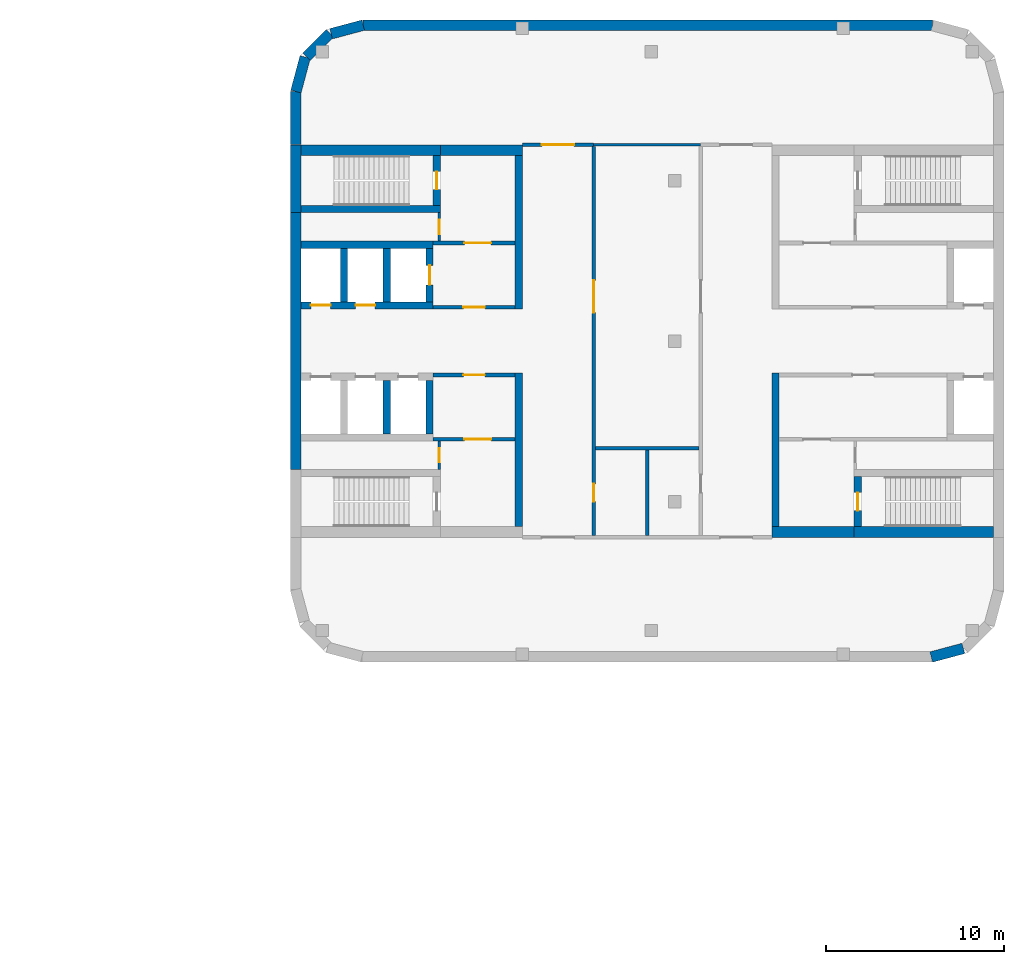
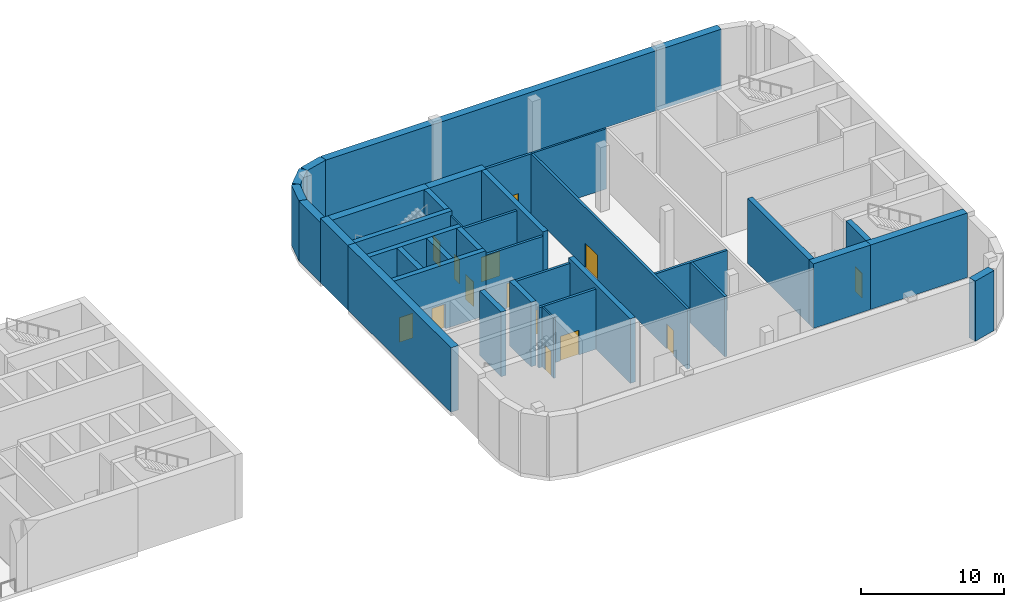
# One storey, part 13 of 19: 36 walls, 14 doors, 14 openings.
"""IFC4 building model written with IfcOpenShell, lengths in metres."""

from ifc_helpers import new_model, si_unit, direction, frame, frame_2d, origin, place, context, subcontext, project, spatial, rectangle, extrude, material, layer, layer_set, type_object, element, fill, save


model = new_model("IFC4")

# Units and contexts
model_context = context("Model", 3, precision=1e-05, world=origin(), true_north=direction((0.0, 1.0)))
body_context = subcontext(model_context, "Body", "Model", "MODEL_VIEW")
ifc_project = project(units=[si_unit("LENGTHUNIT", "METRE"), si_unit("AREAUNIT", "SQUARE_METRE"), si_unit("VOLUMEUNIT", "CUBIC_METRE"), si_unit("PLANEANGLEUNIT", "RADIAN"), si_unit("MASSUNIT", "GRAM", prefix="KILO")], contexts=[model_context])

# Site, building, storey
site_placement = place(None, origin())
site = spatial("IfcSite", under=ifc_project, at=site_placement, CompositionType="ELEMENT")
building_placement = place(site_placement, origin())
building = spatial("IfcBuilding", under=site, at=building_placement, Name="Skarvind Civic Tower", CompositionType="ELEMENT")
storey_placement = place(building_placement, frame((0.0, 0.0, 75.5)))
storey = spatial("IfcBuildingStorey", under=building, at=storey_placement, Name="L17", CompositionType="ELEMENT", Elevation=75.5)

# Wall, opening, door
ifc_material_1 = material(Name="Fire-rated masonry partition", Category="masonry")
ifc_layer_1 = layer(ifc_material_1, 0.199951171875)
ifc_layer_set_1 = layer_set([ifc_layer_1], Name="Core enclosure wall 200")
wall_type_1 = type_object("IfcWallType", Name="Core enclosure wall 200", PredefinedType="PARTITIONING", material=ifc_layer_set_1)
wall_1_placement = place(storey_placement, frame((135.0, 129.89990234375, 0.0), z_axis=(0.0, 0.0, 1.0), x_axis=(1.0, 0.0, 0.0)))
wall_1 = element("IfcWall", 1, at=wall_1_placement, inside=storey, type_object=wall_type_1, Name="Core wall CA", PredefinedType="PARTITIONING", context=body_context, shape_type="SweptSolid", body=[
    extrude(rectangle(XDim=4.60009765625, YDim=0.199951171875, at=frame_2d((2.300048828125, 0.0))), origin(), (0.0, 0.0, 1.0), 5.125),
])
opening_1_placement = place(wall_1_placement, frame((1.699951171875, 0.0, 0.0)))
opening_1 = element("IfcOpeningElement", 2, at=opening_1_placement, cuts=wall_1, Name="Opening D-L17-CA-06", PredefinedType="OPENING", context=body_context, shape_type="SweptSolid", body=[
    extrude(rectangle(XDim=1.199951171875, YDim=2.10009765625, at=frame_2d((0.60009765625, 1.050048828125))), frame((0.0, 0.10986328125, 0.0), z_axis=(0.0, -1.0, 0.0), x_axis=(1.0, 0.0, 0.0)), (0.0, 0.0, 1.0), 0.219970703125),
])
ifc_material_2 = material(Name="Fire-rated steel door", Category="steel")
door_type_1 = type_object("IfcDoorType", Name="Core lobby door 1200", OperationType="NOTDEFINED", PredefinedType="DOOR", material=ifc_material_2)
door_1_placement = place(opening_1_placement, origin())
door_1 = element("IfcDoor", 3, at=door_1_placement, inside=storey, type_object=door_type_1, Name="Fire door", OperationType="DOUBLE_DOOR_SINGLE_SWING", OverallHeight=2.10009765625, OverallWidth=1.199951171875, PredefinedType="DOOR", context=body_context, shape_type="SweptSolid", body=[
    extrude(rectangle(XDim=1.199951171875, YDim=2.10009765625, at=frame_2d((0.60009765625, 1.050048828125))), frame((0.0, 0.02490234375, 0.0), z_axis=(0.0, -1.0, 0.0), x_axis=(1.0, 0.0, 0.0)), (0.0, 0.0, 1.0), 0.050048828125),
])
fill(opening_1, door_1)

wall_2_placement = place(storey_placement, frame((135.0, 133.5, 0.0), z_axis=(0.0, 0.0, 1.0), x_axis=(1.0, 0.0, 0.0)))
wall_2 = element("IfcWall", 4, at=wall_2_placement, inside=storey, type_object=wall_type_1, Name="Core wall CA", PredefinedType="PARTITIONING", context=body_context, shape_type="SweptSolid", body=[
    extrude(rectangle(XDim=4.60009765625, YDim=0.199951171875, at=frame_2d((2.300048828125, 0.0))), origin(), (0.0, 0.0, 1.0), 5.125),
])
opening_2_placement = place(wall_2_placement, frame((1.75, 0.0, 0.0)))
opening_2 = element("IfcOpeningElement", 5, at=opening_2_placement, cuts=wall_2, Name="Opening D-L17-CA-07", PredefinedType="OPENING", context=body_context, shape_type="SweptSolid", body=[
    extrude(rectangle(XDim=1.5, YDim=2.10009765625, at=frame_2d((0.75, 1.050048828125))), frame((0.0, 0.10986328125, 0.0), z_axis=(0.0, -1.0, 0.0), x_axis=(1.0, 0.0, 0.0)), (0.0, 0.0, 1.0), 0.219970703125),
])
door_type_2 = type_object("IfcDoorType", Name="Fire door 1500", OperationType="NOTDEFINED", PredefinedType="DOOR", material=ifc_material_2)
door_2_placement = place(opening_2_placement, origin())
door_2 = element("IfcDoor", 6, at=door_2_placement, inside=storey, type_object=door_type_2, Name="Fire door", OperationType="DOUBLE_DOOR_SINGLE_SWING", OverallHeight=2.10009765625, OverallWidth=1.5, PredefinedType="DOOR", context=body_context, shape_type="SweptSolid", body=[
    extrude(rectangle(XDim=1.5, YDim=2.10009765625, at=frame_2d((0.75, 1.050048828125))), frame((0.0, 0.02490234375, 0.0), z_axis=(0.0, -1.0, 0.0), x_axis=(1.0, 0.0, 0.0)), (0.0, 0.0, 1.0), 0.050048828125),
])
fill(opening_2, door_2)

wall_3_placement = place(storey_placement, frame((139.60009765625, 126.10009765625, 0.0), z_axis=(0.0, 0.0, 1.0), x_axis=(-1.0, 0.0, 0.0)))
wall_3 = element("IfcWall", 7, at=wall_3_placement, inside=storey, type_object=wall_type_1, Name="Core wall CA", PredefinedType="PARTITIONING", context=body_context, shape_type="SweptSolid", body=[
    extrude(rectangle(XDim=4.60009765625, YDim=0.199951171875, at=frame_2d((2.300048828125, 0.0))), origin(), (0.0, 0.0, 1.0), 5.125),
])
opening_3_placement = place(wall_3_placement, frame((1.699951171875, 0.0, 0.0)))
opening_3 = element("IfcOpeningElement", 8, at=opening_3_placement, cuts=wall_3, Name="Opening D-L17-CA-10", PredefinedType="OPENING", context=body_context, shape_type="SweptSolid", body=[
    extrude(rectangle(XDim=1.199951171875, YDim=2.10009765625, at=frame_2d((0.60009765625, 1.050048828125))), frame((0.0, 0.10986328125, 0.0), z_axis=(0.0, -1.0, 0.0), x_axis=(1.0, 0.0, 0.0)), (0.0, 0.0, 1.0), 0.219970703125),
])
door_3_placement = place(opening_3_placement, origin())
door_3 = element("IfcDoor", 9, at=door_3_placement, inside=storey, type_object=door_type_1, Name="Fire door", OperationType="DOUBLE_DOOR_SINGLE_SWING", OverallHeight=2.10009765625, OverallWidth=1.199951171875, PredefinedType="DOOR", context=body_context, shape_type="SweptSolid", body=[
    extrude(rectangle(XDim=1.199951171875, YDim=2.10009765625, at=frame_2d((0.60009765625, 1.050048828125))), frame((0.0, 0.02490234375, 0.0), z_axis=(0.0, -1.0, 0.0), x_axis=(1.0, 0.0, 0.0)), (0.0, 0.0, 1.0), 0.050048828125),
])
fill(opening_3, door_3)

wall_4_placement = place(storey_placement, frame((139.60009765625, 122.5, 0.0), z_axis=(0.0, 0.0, 1.0), x_axis=(-1.0, 0.0, 0.0)))
wall_4 = element("IfcWall", 10, at=wall_4_placement, inside=storey, type_object=wall_type_1, Name="Core wall CA", PredefinedType="PARTITIONING", context=body_context, shape_type="SweptSolid", body=[
    extrude(rectangle(XDim=4.60009765625, YDim=0.199951171875, at=frame_2d((2.300048828125, 0.0))), origin(), (0.0, 0.0, 1.0), 5.125),
])
opening_4_placement = place(wall_4_placement, frame((1.35009765625, 0.0, 0.0)))
opening_4 = element("IfcOpeningElement", 11, at=opening_4_placement, cuts=wall_4, Name="Opening D-L17-CA-11", PredefinedType="OPENING", context=body_context, shape_type="SweptSolid", body=[
    extrude(rectangle(XDim=1.5, YDim=2.10009765625, at=frame_2d((0.75, 1.050048828125))), frame((0.0, 0.10986328125, 0.0), z_axis=(0.0, -1.0, 0.0), x_axis=(1.0, 0.0, 0.0)), (0.0, 0.0, 1.0), 0.219970703125),
])
door_4_placement = place(opening_4_placement, origin())
door_4 = element("IfcDoor", 12, at=door_4_placement, inside=storey, type_object=door_type_2, Name="Fire door", OperationType="DOUBLE_DOOR_SINGLE_SWING", OverallHeight=2.10009765625, OverallWidth=1.5, PredefinedType="DOOR", context=body_context, shape_type="SweptSolid", body=[
    extrude(rectangle(XDim=1.5, YDim=2.10009765625, at=frame_2d((0.75, 1.050048828125))), frame((0.0, 0.02490234375, 0.0), z_axis=(0.0, -1.0, 0.0), x_axis=(1.0, 0.0, 0.0)), (0.0, 0.0, 1.0), 0.050048828125),
])
fill(opening_4, door_4)

# Wall
ifc_material_3 = material(Name="Concrete C80", Category="concrete")
ifc_layer_2 = layer(ifc_material_3, 0.39990234375)
ifc_layer_set_2 = layer_set([ifc_layer_2], Name="Core wall 400 C80")
wall_type_2 = type_object("IfcWallType", Name="Core wall 400 C80", PredefinedType="SHEAR", material=ifc_layer_set_2)
wall_5_placement = place(storey_placement, frame((127.60009765625, 135.39990234375, 0.0), z_axis=(0.0, 0.0, 1.0), x_axis=(1.0, 0.0, 0.0)))
element("IfcWall", 13, at=wall_5_placement, inside=storey, type_object=wall_type_2, Name="Core wall CA north stair inner L17", PredefinedType="SHEAR", context=body_context, shape_type="SweptSolid", body=[
    extrude(rectangle(XDim=7.7998046875, YDim=0.39990234375, at=frame_2d((3.89990234375, 0.0))), origin(), (0.0, 0.0, 1.0), 5.5),
])

# Wall, opening, door
wall_6_placement = place(storey_placement, frame((135.199951171875, 135.60009765625, 0.0), z_axis=(0.0, 0.0, 1.0), x_axis=(0.0, 1.0, 0.0)))
wall_6 = element("IfcWall", 14, at=wall_6_placement, inside=storey, type_object=wall_type_2, Name="Core wall CA north stair end L17", PredefinedType="SHEAR", context=body_context, shape_type="SweptSolid", body=[
    extrude(rectangle(XDim=2.7998046875, YDim=0.39990234375, at=frame_2d((1.39990234375, 0.0))), origin(), (0.0, 0.0, 1.0), 5.5),
])
opening_5_placement = place(wall_6_placement, frame((0.89990234375, 0.0, 0.0)))
opening_5 = element("IfcOpeningElement", 15, at=opening_5_placement, cuts=wall_6, Name="Opening D-L17-CA-08", PredefinedType="OPENING", context=body_context, shape_type="SweptSolid", body=[
    extrude(rectangle(XDim=1.0, YDim=2.10009765625, at=frame_2d((0.5, 1.050048828125))), frame((0.0, 0.2099609375, 0.0), z_axis=(0.0, -1.0, 0.0), x_axis=(1.0, 0.0, 0.0)), (0.0, 0.0, 1.0), 0.419921875),
])
door_type_3 = type_object("IfcDoorType", Name="Fire door 1000", OperationType="NOTDEFINED", PredefinedType="DOOR", material=ifc_material_2)
door_5_placement = place(opening_5_placement, origin())
door_5 = element("IfcDoor", 16, at=door_5_placement, inside=storey, type_object=door_type_3, Name="Fire door", OperationType="SINGLE_SWING_LEFT", OverallHeight=2.10009765625, OverallWidth=1.0, PredefinedType="DOOR", context=body_context, shape_type="SweptSolid", body=[
    extrude(rectangle(XDim=1.0, YDim=2.10009765625, at=frame_2d((0.5, 1.050048828125))), frame((0.0, 0.02490234375, 0.0), z_axis=(0.0, -1.0, 0.0), x_axis=(1.0, 0.0, 0.0)), (0.0, 0.0, 1.0), 0.050048828125),
])
fill(opening_5, door_5)

# Walls
for number, where, z_axis, x_axis, name in (
    (17, (132.39990234375, 122.800048828125, 0.0), (0.0, 0.0, 1.0), (0.0, 1.0, 0.0), "Core wall CA south lift row division 2 L17"),
    (18, (134.800048828125, 122.800048828125, 0.0), (0.0, 0.0, 1.0), (0.0, 1.0, 0.0), "Core wall CA south lift row division 3 L17"),
):
    element("IfcWall", number, at=place(storey_placement, frame(where, z_axis=z_axis, x_axis=x_axis)), inside=storey, type_object=wall_type_2, Name=name, PredefinedType="SHEAR", context=body_context, shape_type="SweptSolid", body=[
        extrude(rectangle(XDim=3.0, YDim=0.39990234375, at=frame_2d((1.5, 0.0))), origin(), (0.0, 0.0, 1.0), 5.5),
    ])

# Wall, openings, doors
wall_7_placement = place(storey_placement, frame((127.60009765625, 130.0, 0.0), z_axis=(0.0, 0.0, 1.0), x_axis=(1.0, 0.0, 0.0)))
wall_7 = element("IfcWall", 19, at=wall_7_placement, inside=storey, type_object=wall_type_2, Name="Core wall CA north lift row front L17", PredefinedType="SHEAR", context=body_context, shape_type="SweptSolid", body=[
    extrude(rectangle(XDim=7.39990234375, YDim=0.39990234375, at=frame_2d((3.699951171875, 0.0))), origin(), (0.0, 0.0, 1.0), 5.5),
])
opening_6_placement = place(wall_7_placement, frame((0.550048828125, 0.0, 0.0)))
opening_6 = element("IfcOpeningElement", 20, at=opening_6_placement, cuts=wall_7, Name="Opening LD19301", PredefinedType="OPENING", context=body_context, shape_type="SweptSolid", body=[
    extrude(rectangle(XDim=1.10009765625, YDim=2.10009765625, at=frame_2d((0.550048828125, 1.050048828125))), frame((0.0, 0.2099609375, 0.0), z_axis=(0.0, -1.0, 0.0), x_axis=(1.0, 0.0, 0.0)), (0.0, 0.0, 1.0), 0.419921875),
])
opening_7_placement = place(wall_7_placement, frame((3.050048828125, 0.0, 0.0)))
opening_7 = element("IfcOpeningElement", 21, at=opening_7_placement, cuts=wall_7, Name="Opening LD19302", PredefinedType="OPENING", context=body_context, shape_type="SweptSolid", body=[
    extrude(rectangle(XDim=1.10009765625, YDim=2.10009765625, at=frame_2d((0.550048828125, 1.050048828125))), frame((0.0, 0.2099609375, 0.0), z_axis=(0.0, -1.0, 0.0), x_axis=(1.0, 0.0, 0.0)), (0.0, 0.0, 1.0), 0.419921875),
])
ifc_material_4 = material(Name="Stainless steel landing door", Category="steel")
door_type_4 = type_object("IfcDoorType", Name="Lift landing door 1100", OperationType="DOUBLE_DOOR_SLIDING", PredefinedType="DOOR", material=ifc_material_4)
door_6_placement = place(opening_6_placement, origin())
door_6 = element("IfcDoor", 22, at=door_6_placement, inside=storey, type_object=door_type_4, Name="Lift landing door", OperationType="DOUBLE_DOOR_SLIDING", OverallHeight=2.10009765625, OverallWidth=1.10009765625, PredefinedType="DOOR", context=body_context, shape_type="SweptSolid", body=[
    extrude(rectangle(XDim=1.10009765625, YDim=2.10009765625, at=frame_2d((0.550048828125, 1.050048828125))), frame((0.0, 0.02490234375, 0.0), z_axis=(0.0, -1.0, 0.0), x_axis=(1.0, 0.0, 0.0)), (0.0, 0.0, 1.0), 0.050048828125),
])
fill(opening_6, door_6)
door_7_placement = place(opening_7_placement, origin())
door_7 = element("IfcDoor", 23, at=door_7_placement, inside=storey, type_object=door_type_4, Name="Lift landing door", OperationType="DOUBLE_DOOR_SLIDING", OverallHeight=2.10009765625, OverallWidth=1.10009765625, PredefinedType="DOOR", context=body_context, shape_type="SweptSolid", body=[
    extrude(rectangle(XDim=1.10009765625, YDim=2.10009765625, at=frame_2d((0.550048828125, 1.050048828125))), frame((0.0, 0.02490234375, 0.0), z_axis=(0.0, -1.0, 0.0), x_axis=(1.0, 0.0, 0.0)), (0.0, 0.0, 1.0), 0.050048828125),
])
fill(opening_7, door_7)

# Walls
wall_8_placement = place(storey_placement, frame((127.60009765625, 133.39990234375, 0.0), z_axis=(0.0, 0.0, 1.0), x_axis=(1.0, 0.0, 0.0)))
element("IfcWall", 24, at=wall_8_placement, inside=storey, type_object=wall_type_2, Name="Core wall CA north lift row back L17", PredefinedType="SHEAR", context=body_context, shape_type="SweptSolid", body=[
    extrude(rectangle(XDim=7.39990234375, YDim=0.39990234375, at=frame_2d((3.699951171875, 0.0))), origin(), (0.0, 0.0, 1.0), 5.5),
])
for number, where, z_axis, x_axis, name in (
    (25, (130.0, 130.199951171875, 0.0), (0.0, 0.0, 1.0), (0.0, 1.0, 0.0), "Core wall CA north lift row division 1 L17"),
    (26, (132.39990234375, 130.199951171875, 0.0), (0.0, 0.0, 1.0), (0.0, 1.0, 0.0), "Core wall CA north lift row division 2 L17"),
):
    element("IfcWall", number, at=place(storey_placement, frame(where, z_axis=z_axis, x_axis=x_axis)), inside=storey, type_object=wall_type_2, Name=name, PredefinedType="SHEAR", context=body_context, shape_type="SweptSolid", body=[
        extrude(rectangle(XDim=3.0, YDim=0.39990234375, at=frame_2d((1.5, 0.0))), origin(), (0.0, 0.0, 1.0), 5.5),
    ])

# Wall, opening, door
wall_9_placement = place(storey_placement, frame((134.800048828125, 130.199951171875, 0.0), z_axis=(0.0, 0.0, 1.0), x_axis=(0.0, 1.0, 0.0)))
wall_9 = element("IfcWall", 27, at=wall_9_placement, inside=storey, type_object=wall_type_2, Name="Core wall CA north lift row division 3 L17", PredefinedType="SHEAR", context=body_context, shape_type="SweptSolid", body=[
    extrude(rectangle(XDim=3.0, YDim=0.39990234375, at=frame_2d((1.5, 0.0))), origin(), (0.0, 0.0, 1.0), 5.5),
])
opening_8_placement = place(wall_9_placement, frame((0.949951171875, 0.0, 0.0)))
opening_8 = element("IfcOpeningElement", 28, at=opening_8_placement, cuts=wall_9, Name="Opening LD19303", PredefinedType="OPENING", context=body_context, shape_type="SweptSolid", body=[
    extrude(rectangle(XDim=1.10009765625, YDim=2.10009765625, at=frame_2d((0.550048828125, 1.050048828125))), frame((0.0, 0.2099609375, 0.0), z_axis=(0.0, -1.0, 0.0), x_axis=(1.0, 0.0, 0.0)), (0.0, 0.0, 1.0), 0.419921875),
])
door_8_placement = place(opening_8_placement, origin())
door_8 = element("IfcDoor", 29, at=door_8_placement, inside=storey, type_object=door_type_4, Name="Lift landing door", OperationType="DOUBLE_DOOR_SLIDING", OverallHeight=2.10009765625, OverallWidth=1.10009765625, PredefinedType="DOOR", context=body_context, shape_type="SweptSolid", body=[
    extrude(rectangle(XDim=1.10009765625, YDim=2.10009765625, at=frame_2d((0.550048828125, 1.050048828125))), frame((0.0, 0.02490234375, 0.0), z_axis=(0.0, -1.0, 0.0), x_axis=(1.0, 0.0, 0.0)), (0.0, 0.0, 1.0), 0.050048828125),
])
fill(opening_8, door_8)

# Walls
for number, where, z_axis, x_axis, name in (
    (30, (139.800048828125, 117.60009765625, 0.0), (0.0, 0.0, 1.0), (0.0, 1.0, 0.0), "Core wall CA south inner face L17"),
    (31, (139.800048828125, 129.800048828125, 0.0), (0.0, 0.0, 1.0), (0.0, 1.0, 0.0), "Core wall CA north inner face L17"),
):
    element("IfcWall", number, at=place(storey_placement, frame(where, z_axis=z_axis, x_axis=x_axis)), inside=storey, type_object=wall_type_2, Name=name, PredefinedType="SHEAR", context=body_context, shape_type="SweptSolid", body=[
        extrude(rectangle(XDim=8.599853515625, YDim=0.39990234375, at=frame_2d((4.2998046875, 0.0))), origin(), (0.0, 0.0, 1.0), 5.5),
    ])

# Wall, opening, door
wall_10_placement = place(storey_placement, frame((158.800048828125, 120.39990234375, 0.0), z_axis=(0.0, 0.0, 1.0), x_axis=(0.0, -1.0, 0.0)))
wall_10 = element("IfcWall", 32, at=wall_10_placement, inside=storey, type_object=wall_type_2, Name="Core wall CB north stair end L17", PredefinedType="SHEAR", context=body_context, shape_type="SweptSolid", body=[
    extrude(rectangle(XDim=2.7998046875, YDim=0.39990234375, at=frame_2d((1.39990234375, 0.0))), origin(), (0.0, 0.0, 1.0), 5.5),
])
opening_9_placement = place(wall_10_placement, frame((0.89990234375, 0.0, 0.0)))
opening_9 = element("IfcOpeningElement", 33, at=opening_9_placement, cuts=wall_10, Name="Opening D-L17-CB-05", PredefinedType="OPENING", context=body_context, shape_type="SweptSolid", body=[
    extrude(rectangle(XDim=1.0, YDim=2.10009765625, at=frame_2d((0.5, 1.050048828125))), frame((0.0, 0.2099609375, 0.0), z_axis=(0.0, -1.0, 0.0), x_axis=(1.0, 0.0, 0.0)), (0.0, 0.0, 1.0), 0.419921875),
])
door_9_placement = place(opening_9_placement, origin())
door_9 = element("IfcDoor", 34, at=door_9_placement, inside=storey, type_object=door_type_3, Name="Fire door", OperationType="SINGLE_SWING_LEFT", OverallHeight=2.10009765625, OverallWidth=1.0, PredefinedType="DOOR", context=body_context, shape_type="SweptSolid", body=[
    extrude(rectangle(XDim=1.0, YDim=2.10009765625, at=frame_2d((0.5, 1.050048828125))), frame((0.0, 0.02490234375, 0.0), z_axis=(0.0, -1.0, 0.0), x_axis=(1.0, 0.0, 0.0)), (0.0, 0.0, 1.0), 0.050048828125),
])
fill(opening_9, door_9)

# Walls
wall_11_placement = place(storey_placement, frame((154.199951171875, 126.199951171875, 0.0), z_axis=(0.0, 0.0, 1.0), x_axis=(0.0, -1.0, 0.0)))
element("IfcWall", 35, at=wall_11_placement, inside=storey, type_object=wall_type_2, Name="Core wall CB north inner face L17", PredefinedType="SHEAR", context=body_context, shape_type="SweptSolid", body=[
    extrude(rectangle(XDim=8.599853515625, YDim=0.39990234375, at=frame_2d((4.2998046875, 0.0))), origin(), (0.0, 0.0, 1.0), 5.5),
])
ifc_layer_3 = layer(ifc_material_3, 0.60009765625)
ifc_layer_set_3 = layer_set([ifc_layer_3], Name="Core wall 600 C80")
wall_type_3 = type_object("IfcWallType", Name="Core wall 600 C80", PredefinedType="SHEAR", material=ifc_layer_set_3)
wall_12_placement = place(storey_placement, frame((127.300048828125, 120.800048828125, 0.0), z_axis=(0.0, 0.0, 1.0), x_axis=(0.0, 1.0, 0.0)))
element("IfcWall", 36, at=wall_12_placement, inside=storey, type_object=wall_type_3, Name="Core wall CA tip between the stairs L17", PredefinedType="SHEAR", context=body_context, shape_type="SweptSolid", body=[
    extrude(rectangle(XDim=14.39990234375, YDim=0.60009765625, at=frame_2d((7.199951171875, 0.0))), origin(), (0.0, 0.0, 1.0), 5.5),
])
wall_13_placement = place(storey_placement, frame((127.300048828125, 135.199951171875, 0.0), z_axis=(0.0, 0.0, 1.0), x_axis=(0.0, 1.0, 0.0)))
element("IfcWall", 37, at=wall_13_placement, inside=storey, type_object=wall_type_3, Name="Core wall CA tip at the north stair L17", PredefinedType="SHEAR", context=body_context, shape_type="SweptSolid", body=[
    extrude(rectangle(XDim=3.800048828125, YDim=0.60009765625, at=frame_2d((1.89990234375, 0.0))), origin(), (0.0, 0.0, 1.0), 5.5),
])
wall_14_placement = place(storey_placement, frame((127.60009765625, 138.699951171875, 0.0), z_axis=(0.0, 0.0, 1.0), x_axis=(1.0, 0.0, 0.0)))
element("IfcWall", 38, at=wall_14_placement, inside=storey, type_object=wall_type_3, Name="Core wall CA north side at the stair L17", PredefinedType="SHEAR", context=body_context, shape_type="SweptSolid", body=[
    extrude(rectangle(XDim=7.7998046875, YDim=0.60009765625, at=frame_2d((3.89990234375, 0.0))), origin(), (0.0, 0.0, 1.0), 5.5),
])
wall_15_placement = place(storey_placement, frame((135.39990234375, 138.699951171875, 0.0), z_axis=(0.0, 0.0, 1.0), x_axis=(1.0, 0.0, 0.0)))
element("IfcWall", 39, at=wall_15_placement, inside=storey, type_object=wall_type_3, Name="Core wall CA north side L17", PredefinedType="SHEAR", context=body_context, shape_type="SweptSolid", body=[
    extrude(rectangle(XDim=4.60009765625, YDim=0.60009765625, at=frame_2d((2.300048828125, 0.0))), origin(), (0.0, 0.0, 1.0), 5.5),
])
wall_16_placement = place(storey_placement, frame((166.39990234375, 117.300048828125, 0.0), z_axis=(0.0, 0.0, 1.0), x_axis=(-1.0, 0.0, 0.0)))
element("IfcWall", 40, at=wall_16_placement, inside=storey, type_object=wall_type_3, Name="Core wall CB north side at the stair L17", PredefinedType="SHEAR", context=body_context, shape_type="SweptSolid", body=[
    extrude(rectangle(XDim=7.7998046875, YDim=0.60009765625, at=frame_2d((3.89990234375, 0.0))), origin(), (0.0, 0.0, 1.0), 5.5),
])
wall_17_placement = place(storey_placement, frame((158.60009765625, 117.300048828125, 0.0), z_axis=(0.0, 0.0, 1.0), x_axis=(-1.0, 0.0, 0.0)))
element("IfcWall", 41, at=wall_17_placement, inside=storey, type_object=wall_type_3, Name="Core wall CB north side L17", PredefinedType="SHEAR", context=body_context, shape_type="SweptSolid", body=[
    extrude(rectangle(XDim=4.60009765625, YDim=0.60009765625, at=frame_2d((2.300048828125, 0.0))), origin(), (0.0, 0.0, 1.0), 5.5),
])

# Wall, opening, door
ifc_material_5 = material(Name="Fire-rated blockwork wall, plastered", Category="masonry")
ifc_layer_4 = layer(ifc_material_5, 0.199951171875)
ifc_layer_set_4 = layer_set([ifc_layer_4], Name="FIRE WALL 200 EI 60")
wall_type_4 = type_object("IfcWallType", Name="FIRE WALL 200 EI 60", PredefinedType="PARTITIONING", material=ifc_layer_set_4)
wall_18_placement = place(storey_placement, frame((140.0, 139.0, 0.0), z_axis=(0.0, 0.0, 1.0), x_axis=(1.0, 0.0, 0.0)))
wall_18 = element("IfcWall", 42, at=wall_18_placement, inside=storey, type_object=wall_type_4, Name="Amenity partition L17 002", PredefinedType="PARTITIONING", context=body_context, shape_type="SweptSolid", body=[
    extrude(rectangle(XDim=4.0, YDim=0.199951171875, at=frame_2d((2.0, 0.0))), origin(), (0.0, 0.0, 1.0), 5.125),
])
opening_10_placement = place(wall_18_placement, frame((1.10009765625, 0.0, 0.0)))
opening_10 = element("IfcOpeningElement", 43, at=opening_10_placement, cuts=wall_18, Name="Opening L17-D302", PredefinedType="OPENING", context=body_context, shape_type="SweptSolid", body=[
    extrude(rectangle(XDim=1.800048828125, YDim=2.10009765625, at=frame_2d((0.89990234375, 1.050048828125))), frame((0.0, 0.10986328125, 0.0), z_axis=(0.0, -1.0, 0.0), x_axis=(1.0, 0.0, 0.0)), (0.0, 0.0, 1.0), 0.219970703125),
])
ifc_material_6 = material(Name="Painted steel fire door leaf", Category="steel")
door_type_5 = type_object("IfcDoorType", Name="FIRE DOOR 1800X2100 DOUBLE STEEL", OperationType="NOTDEFINED", PredefinedType="DOOR", material=ifc_material_6)
door_10_placement = place(opening_10_placement, origin())
door_10 = element("IfcDoor", 44, at=door_10_placement, inside=storey, type_object=door_type_5, Name="FIRE DOOR", OperationType="DOUBLE_DOOR_SINGLE_SWING", OverallHeight=2.10009765625, OverallWidth=1.800048828125, PredefinedType="DOOR", context=body_context, shape_type="SweptSolid", body=[
    extrude(rectangle(XDim=1.800048828125, YDim=2.10009765625, at=frame_2d((0.89990234375, 1.050048828125))), frame((0.0, 0.02490234375, 0.0), z_axis=(0.0, -1.0, 0.0), x_axis=(1.0, 0.0, 0.0)), (0.0, 0.0, 1.0), 0.050048828125),
])
fill(opening_10, door_10)

# Wall, openings, doors
wall_19_placement = place(storey_placement, frame((144.0, 138.89990234375, 0.0), z_axis=(0.0, 0.0, 1.0), x_axis=(0.0, -1.0, 0.0)))
wall_19 = element("IfcWall", 45, at=wall_19_placement, inside=storey, type_object=wall_type_4, Name="Amenity partition L17 003", PredefinedType="PARTITIONING", context=body_context, shape_type="SweptSolid", body=[
    extrude(rectangle(XDim=21.7998046875, YDim=0.199951171875, at=frame_2d((10.89990234375, 0.0))), origin(), (0.0, 0.0, 1.0), 5.125),
])
opening_11_placement = place(wall_19_placement, frame((18.89794921875, 0.0, 0.0)))
opening_11 = element("IfcOpeningElement", 46, at=opening_11_placement, cuts=wall_19, Name="Opening L17-D303", PredefinedType="OPENING", context=body_context, shape_type="SweptSolid", body=[
    extrude(rectangle(XDim=1.0, YDim=2.10009765625, at=frame_2d((0.5, 1.050048828125))), frame((0.0, 0.10986328125, 0.0), z_axis=(0.0, -1.0, 0.0), x_axis=(1.0, 0.0, 0.0)), (0.0, 0.0, 1.0), 0.219970703125),
])
opening_12_placement = place(wall_19_placement, frame((7.501953125, 0.0, 0.0)))
opening_12 = element("IfcOpeningElement", 47, at=opening_12_placement, cuts=wall_19, Name="Opening L17-D304", PredefinedType="OPENING", context=body_context, shape_type="SweptSolid", body=[
    extrude(rectangle(XDim=1.800048828125, YDim=2.10009765625, at=frame_2d((0.89990234375, 1.050048828125))), frame((0.0, 0.10986328125, 0.0), z_axis=(0.0, -1.0, 0.0), x_axis=(1.0, 0.0, 0.0)), (0.0, 0.0, 1.0), 0.219970703125),
])
door_type_6 = type_object("IfcDoorType", Name="FIRE DOOR 1000X2100 STEEL", OperationType="NOTDEFINED", PredefinedType="DOOR", material=ifc_material_6)
door_11_placement = place(opening_11_placement, origin())
door_11 = element("IfcDoor", 48, at=door_11_placement, inside=storey, type_object=door_type_6, Name="FIRE DOOR", OperationType="SINGLE_SWING_LEFT", OverallHeight=2.10009765625, OverallWidth=1.0, PredefinedType="DOOR", context=body_context, shape_type="SweptSolid", body=[
    extrude(rectangle(XDim=1.0, YDim=2.10009765625, at=frame_2d((0.5, 1.050048828125))), frame((0.0, 0.02490234375, 0.0), z_axis=(0.0, -1.0, 0.0), x_axis=(1.0, 0.0, 0.0)), (0.0, 0.0, 1.0), 0.050048828125),
])
fill(opening_11, door_11)
door_12_placement = place(opening_12_placement, origin())
door_12 = element("IfcDoor", 49, at=door_12_placement, inside=storey, type_object=door_type_5, Name="FIRE DOOR", OperationType="DOUBLE_DOOR_SINGLE_SWING", OverallHeight=2.10009765625, OverallWidth=1.800048828125, PredefinedType="DOOR", context=body_context, shape_type="SweptSolid", body=[
    extrude(rectangle(XDim=1.800048828125, YDim=2.10009765625, at=frame_2d((0.89990234375, 1.050048828125))), frame((0.0, 0.02490234375, 0.0), z_axis=(0.0, -1.0, 0.0), x_axis=(1.0, 0.0, 0.0)), (0.0, 0.0, 1.0), 0.050048828125),
])
fill(opening_12, door_12)

# Walls
wall_20_placement = place(storey_placement, frame((144.10009765625, 122.0, 0.0), z_axis=(0.0, 0.0, 1.0), x_axis=(1.0, 0.0, 0.0)))
element("IfcWall", 50, at=wall_20_placement, inside=storey, type_object=wall_type_4, Name="Amenity partition L17 004", PredefinedType="PARTITIONING", context=body_context, shape_type="SweptSolid", body=[
    extrude(rectangle(XDim=5.7998046875, YDim=0.199951171875, at=frame_2d((2.89990234375, 0.0))), origin(), (0.0, 0.0, 1.0), 5.125),
])
wall_21_placement = place(storey_placement, frame((147.0, 117.10009765625, 0.0), z_axis=(0.0, 0.0, 1.0), x_axis=(0.0, 1.0, 0.0)))
element("IfcWall", 51, at=wall_21_placement, inside=storey, type_object=wall_type_4, Name="Amenity partition L17 006", PredefinedType="PARTITIONING", context=body_context, shape_type="SweptSolid", body=[
    extrude(rectangle(XDim=4.7998046875, YDim=0.199951171875, at=frame_2d((2.39990234375, 0.0))), origin(), (0.0, 0.0, 1.0), 5.125),
])
ifc_material_7 = material(Name="Plasterboard partition on steel studs", Category="steel")
ifc_layer_5 = layer(ifc_material_7, 0.14990234375)
ifc_layer_set_5 = layer_set([ifc_layer_5], Name="PARTITION 150")
wall_type_5 = type_object("IfcWallType", Name="PARTITION 150", PredefinedType="PARTITIONING", material=ifc_layer_set_5)
wall_22_placement = place(storey_placement, frame((144.0, 139.0, 0.0), z_axis=(0.0, 0.0, 1.0), x_axis=(1.0, 0.0, 0.0)))
element("IfcWall", 52, at=wall_22_placement, inside=storey, type_object=wall_type_5, Name="Amenity partition L17 005", PredefinedType="PARTITIONING", context=body_context, shape_type="SweptSolid", body=[
    extrude(rectangle(XDim=6.0, YDim=0.14990234375, at=frame_2d((3.0, 0.0))), origin(), (0.0, 0.0, 1.0), 5.125),
])

# Wall, opening, door
ifc_layer_6 = layer(ifc_material_1, 0.125)
ifc_layer_set_6 = layer_set([ifc_layer_6], Name="Riser wall 125")
wall_type_6 = type_object("IfcWallType", Name="Riser wall 125", PredefinedType="PARTITIONING", material=ifc_layer_set_6)
wall_23_placement = place(storey_placement, frame((135.33740234375, 135.199951171875, 0.0), z_axis=(0.0, 0.0, 1.0), x_axis=(0.0, -1.0, 0.0)))
wall_23 = element("IfcWall", 53, at=wall_23_placement, inside=storey, type_object=wall_type_6, Name="Core wall CA", PredefinedType="PARTITIONING", context=body_context, shape_type="SweptSolid", body=[
    extrude(rectangle(XDim=1.599853515625, YDim=0.125, at=frame_2d((0.7998046875, 0.0))), origin(), (0.0, 0.0, 1.0), 5.125),
])
opening_13_placement = place(wall_23_placement, frame((0.39990234375, 0.0, 0.0)))
opening_13 = element("IfcOpeningElement", 54, at=opening_13_placement, cuts=wall_23, Name="Opening D-L17-CA-09", PredefinedType="OPENING", context=body_context, shape_type="SweptSolid", body=[
    extrude(rectangle(XDim=0.800048828125, YDim=2.10009765625, at=frame_2d((0.39990234375, 1.050048828125))), frame((0.0, 0.072509765625, 0.0), z_axis=(0.0, -1.0, 0.0), x_axis=(1.0, 0.0, 0.0)), (0.0, 0.0, 1.0), 0.14501953125),
])
door_type_7 = type_object("IfcDoorType", Name="Core riser door 800", OperationType="NOTDEFINED", PredefinedType="DOOR", material=ifc_material_2)
door_13_placement = place(opening_13_placement, origin())
door_13 = element("IfcDoor", 55, at=door_13_placement, inside=storey, type_object=door_type_7, Name="Riser door", OperationType="SINGLE_SWING_RIGHT", OverallHeight=2.10009765625, OverallWidth=0.800048828125, PredefinedType="DOOR", context=body_context, shape_type="SweptSolid", body=[
    extrude(rectangle(XDim=0.800048828125, YDim=2.10009765625, at=frame_2d((0.39990234375, 1.050048828125))), frame((0.0, 0.02490234375, 0.0), z_axis=(0.0, -1.0, 0.0), x_axis=(1.0, 0.0, 0.0)), (0.0, 0.0, 1.0), 0.050048828125),
])
fill(opening_13, door_13)

wall_24_placement = place(storey_placement, frame((135.33740234375, 122.39990234375, 0.0), z_axis=(0.0, 0.0, 1.0), x_axis=(0.0, -1.0, 0.0)))
wall_24 = element("IfcWall", 56, at=wall_24_placement, inside=storey, type_object=wall_type_6, Name="Core wall CA", PredefinedType="PARTITIONING", context=body_context, shape_type="SweptSolid", body=[
    extrude(rectangle(XDim=1.599853515625, YDim=0.125, at=frame_2d((0.7998046875, 0.0))), origin(), (0.0, 0.0, 1.0), 5.125),
])
opening_14_placement = place(wall_24_placement, frame((0.39990234375, 0.0, 0.0)))
opening_14 = element("IfcOpeningElement", 57, at=opening_14_placement, cuts=wall_24, Name="Opening D-L17-CA-13", PredefinedType="OPENING", context=body_context, shape_type="SweptSolid", body=[
    extrude(rectangle(XDim=0.800048828125, YDim=2.10009765625, at=frame_2d((0.39990234375, 1.050048828125))), frame((0.0, 0.072509765625, 0.0), z_axis=(0.0, -1.0, 0.0), x_axis=(1.0, 0.0, 0.0)), (0.0, 0.0, 1.0), 0.14501953125),
])
door_14_placement = place(opening_14_placement, origin())
door_14 = element("IfcDoor", 58, at=door_14_placement, inside=storey, type_object=door_type_7, Name="Riser door", OperationType="SINGLE_SWING_LEFT", OverallHeight=2.10009765625, OverallWidth=0.800048828125, PredefinedType="DOOR", context=body_context, shape_type="SweptSolid", body=[
    extrude(rectangle(XDim=0.800048828125, YDim=2.10009765625, at=frame_2d((0.39990234375, 1.050048828125))), frame((0.0, 0.02490234375, 0.0), z_axis=(0.0, -1.0, 0.0), x_axis=(1.0, 0.0, 0.0)), (0.0, 0.0, 1.0), 0.050048828125),
])
fill(opening_14, door_14)

# Walls
ifc_material_8 = material(Name="Limestone masonry cladding on insulated backing", Category="masonry")
ifc_layer_7 = layer(ifc_material_8, 0.60009765625)
ifc_layer_set_7 = layer_set([ifc_layer_7], Name="WX1 STONE FACADE WALL 600")
wall_type_7 = type_object("IfcWallType", Name="WX1 STONE FACADE WALL 600", PredefinedType="SOLIDWALL", material=ifc_layer_set_7)
wall_25_placement = place(storey_placement, frame((131.070068359375, 145.699951171875, 0.0), z_axis=(0.0, 0.0, 1.0), x_axis=(1.0, 0.0, 0.0)))
element("IfcWall", 59, at=wall_25_placement, inside=storey, type_object=wall_type_7, Name="STONE FACADE WALL", PredefinedType="SOLIDWALL", context=body_context, shape_type="SweptSolid", body=[
    extrude(rectangle(XDim=31.929931640625, YDim=0.60009765625, at=frame_2d((15.96484375, 0.0))), origin(), (0.0, 0.0, 1.0), 5.125),
])
for number, where, z_axis, x_axis, name in (
    (60, (129.280517578125, 145.228759765625, 0.0), (0.0, 0.0, 1.0), (0.965938094805, 0.258773254036, 0.0), "STONE FACADE WALL"),
    (61, (127.896484375, 143.936279296875, 0.0), (0.0, 0.0, 1.0), (0.707106781187, 0.707106781187, 0.0), "STONE FACADE WALL"),
):
    element("IfcWall", number, at=place(storey_placement, frame(where, z_axis=z_axis, x_axis=x_axis)), inside=storey, type_object=wall_type_7, Name=name, PredefinedType="SOLIDWALL", context=body_context, shape_type="SweptSolid", body=[
        extrude(rectangle(XDim=1.860595703125, YDim=0.60009765625, at=frame_2d((0.93017578125, 0.0))), origin(), (0.0, 0.0, 1.0), 5.125),
    ])
wall_26_placement = place(storey_placement, frame((127.307861328125, 141.989990234375, 0.0), z_axis=(0.0, 0.0, 1.0), x_axis=(0.258839784042, 0.965920269068, 0.0)))
element("IfcWall", 62, at=wall_26_placement, inside=storey, type_object=wall_type_7, Name="STONE FACADE WALL", PredefinedType="SOLIDWALL", context=body_context, shape_type="SweptSolid", body=[
    extrude(rectangle(XDim=2.00048828125, YDim=0.60009765625, at=frame_2d((1.000244140625, 0.0))), origin(), (0.0, 0.0, 1.0), 5.125),
])
wall_27_placement = place(storey_placement, frame((127.300048828125, 139.02001953125, 0.0), z_axis=(0.0, 0.0, 1.0), x_axis=(0.0, 1.0, 0.0)))
element("IfcWall", 63, at=wall_27_placement, inside=storey, type_object=wall_type_7, Name="STONE FACADE WALL", PredefinedType="SOLIDWALL", context=body_context, shape_type="SweptSolid", body=[
    extrude(rectangle(XDim=2.97998046875, YDim=0.60009765625, at=frame_2d((1.489990234375, 0.0))), origin(), (0.0, 0.0, 1.0), 5.125),
])
wall_28_placement = place(storey_placement, frame((164.719482421875, 110.771240234375, 0.0), z_axis=(0.0, 0.0, 1.0), x_axis=(-0.965938094805, -0.258773254036, 0.0)))
element("IfcWall", 64, at=wall_28_placement, inside=storey, type_object=wall_type_7, Name="STONE FACADE WALL", PredefinedType="SOLIDWALL", context=body_context, shape_type="SweptSolid", body=[
    extrude(rectangle(XDim=1.860595703125, YDim=0.60009765625, at=frame_2d((0.93017578125, 0.0))), origin(), (0.0, 0.0, 1.0), 5.125),
])

save(model, "model.ifc")
